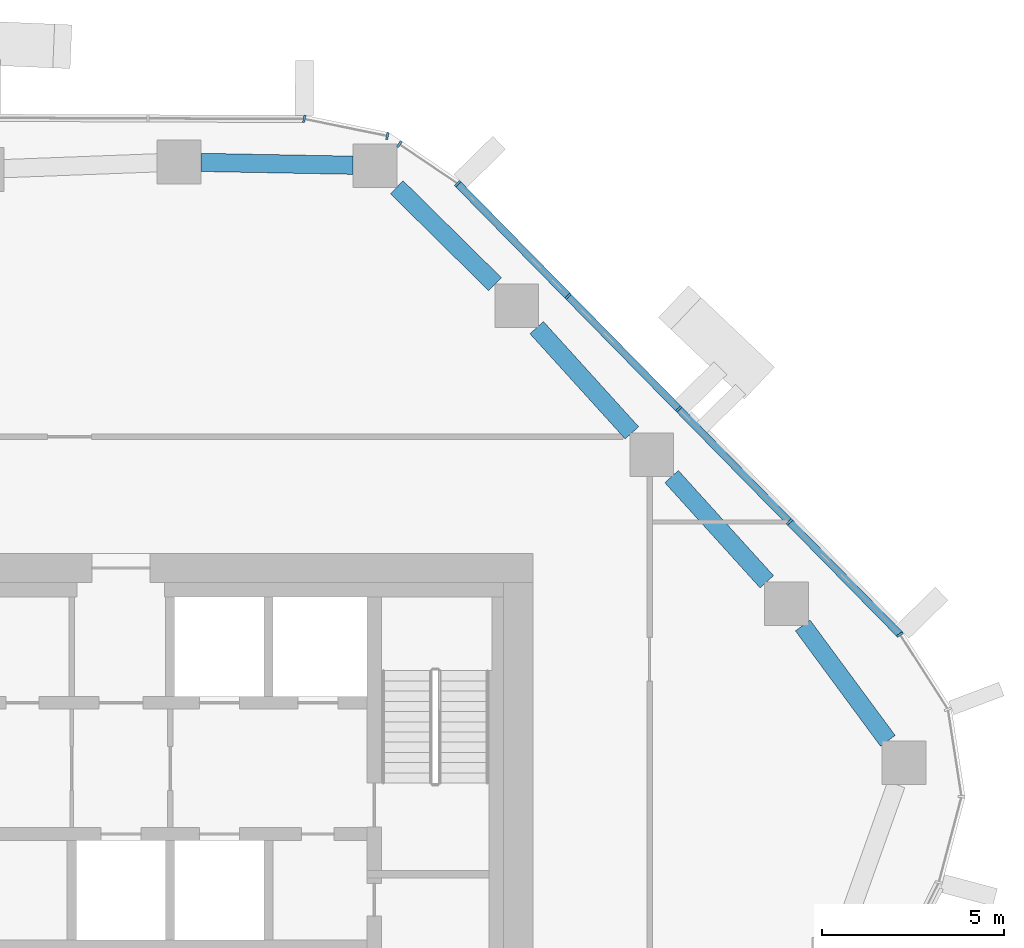
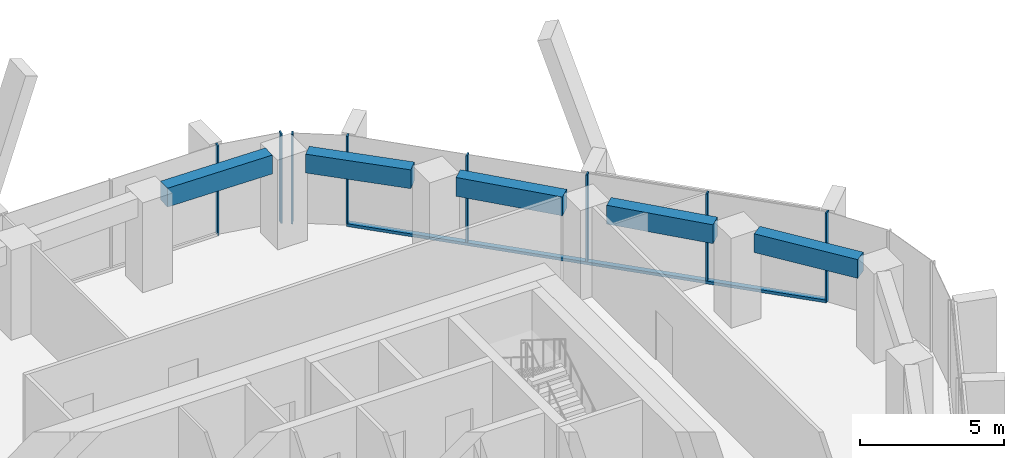
# One storey, part 6 of 19: 9 members, 5 beams, 4 elements without a shape of their own.
"""IFC4 building model written with IfcOpenShell, lengths in metres."""

from ifc_helpers import new_model, si_unit, direction, frame, origin, origin_2d, place, context, subcontext, project, spatial, rectangle, extrude, material, layer, layer_set, material_profile, profile_set, type_object, element, aggregate, save


model = new_model("IFC4")

# Units and contexts
model_context = context("Model", 3, precision=1e-05, world=origin(), true_north=direction((0.0, 1.0)))
body_context = subcontext(model_context, "Body", "Model", "MODEL_VIEW")
ifc_project = project(units=[si_unit("LENGTHUNIT", "METRE"), si_unit("AREAUNIT", "SQUARE_METRE"), si_unit("VOLUMEUNIT", "CUBIC_METRE"), si_unit("PLANEANGLEUNIT", "RADIAN"), si_unit("MASSUNIT", "GRAM", prefix="KILO")], contexts=[model_context])

# Site, building, storey
site_placement = place(None, origin())
site = spatial("IfcSite", under=ifc_project, at=site_placement, CompositionType="ELEMENT")
building_placement = place(site_placement, origin())
building = spatial("IfcBuilding", under=site, at=building_placement, Name="Dongbaek Canopy Tower", CompositionType="ELEMENT")
storey_placement = place(building_placement, frame((0.0, 0.0, 207.199951171875)))
storey = spatial("IfcBuildingStorey", under=building, at=storey_placement, Name="L43", CompositionType="ELEMENT", Elevation=207.199951171875)

# Curtain wall, member
ifc_material_1 = material(Name="Aluminium 6063-T6 pale anodised", Category="aluminium")
ifc_layer = layer(ifc_material_1, 0.199951171875)
ifc_layer_set = layer_set([ifc_layer], Name="CW-1 unitised tower curtain wall")
curtain_wall_type = type_object("IfcCurtainWallType", Name="CW-1 unitised tower curtain wall", PredefinedType="NOTDEFINED", material=ifc_layer_set)
curtain_wall_1_placement = place(storey_placement, origin())
curtain_wall_1 = element("IfcCurtainWall", 1, at=curtain_wall_1_placement, inside=storey, type_object=curtain_wall_type, Name="CW-1 curtain wall K0.1", PredefinedType="NOTDEFINED")
ifc_material_2 = material(Name="Aluminium 6063-T6 pale anodised", Category="aluminium")
ifc_material_profile_1 = material_profile(ifc_material_2, rectangle(XDim=0.199951171875, YDim=0.06005859375, at=origin_2d()), Name="CW-1 mullion 60 x 200")
ifc_profile_set_1 = profile_set([ifc_material_profile_1], Name="Aluminium 6063-T6 pale anodised")
member_type_1 = type_object("IfcMemberType", Name="CW-1 mullion 60 x 200", PredefinedType="MULLION", material=ifc_profile_set_1)
member_1_placement = place(storey_placement, frame((24.070068359375, 8.773681640625, 0.0), z_axis=(0.0, 0.0, 1.0), x_axis=(0.842497912004, 0.538699608566, 0.0)))
member_1 = element("IfcMember", 2, at=member_1_placement, type_object=member_type_1, Name="CW-1 mullion K0.1.4", PredefinedType="MULLION", context=body_context, shape_type="SweptSolid", body=[
    extrude(rectangle(XDim=0.199951171875, YDim=0.06005859375, at=origin_2d()), origin(), (0.0, 0.0, 1.0), 3.820068359375),
])
aggregate(curtain_wall_1, [member_1])

# Curtain wall, members
curtain_wall_2_placement = place(storey_placement, origin())
curtain_wall_2 = element("IfcCurtainWall", 3, at=curtain_wall_2_placement, inside=storey, type_object=curtain_wall_type, Name="CW-1 curtain wall F0.1", PredefinedType="NOTDEFINED")
member_2_placement = place(storey_placement, frame((21.039794921875, 11.862060546875, 0.1201171875), z_axis=(0.0, 0.0, 1.0), x_axis=(0.713782398301, 0.700367537709, 0.0)))
member_2 = element("IfcMember", 4, at=member_2_placement, type_object=member_type_1, Name="CW-1 mullion F0.1.2", PredefinedType="MULLION", context=body_context, shape_type="SweptSolid", body=[
    extrude(rectangle(XDim=0.199951171875, YDim=0.06005859375, at=origin_2d()), origin(), (0.0, 0.0, 1.0), 3.699951171875),
])
member_3_placement = place(storey_placement, frame((18.002197265625, 14.957763671875, 0.1201171875), z_axis=(0.0, 0.0, 1.0), x_axis=(0.713782398301, 0.700367537709, 0.0)))
member_3 = element("IfcMember", 5, at=member_3_placement, type_object=member_type_1, Name="CW-1 mullion F0.1.3", PredefinedType="MULLION", context=body_context, shape_type="SweptSolid", body=[
    extrude(rectangle(XDim=0.199951171875, YDim=0.06005859375, at=origin_2d()), origin(), (0.0, 0.0, 1.0), 3.699951171875),
])
member_4_placement = place(storey_placement, frame((14.96484375, 18.053466796875, 0.1201171875), z_axis=(0.0, 0.0, 1.0), x_axis=(0.713782398301, 0.700367537709, 0.0)))
member_4 = element("IfcMember", 6, at=member_4_placement, type_object=member_type_1, Name="CW-1 mullion F0.1.4", PredefinedType="MULLION", context=body_context, shape_type="SweptSolid", body=[
    extrude(rectangle(XDim=0.199951171875, YDim=0.06005859375, at=origin_2d()), origin(), (0.0, 0.0, 1.0), 3.699951171875),
])
member_5_placement = place(storey_placement, frame((11.93408203125, 21.14208984375, 0.1201171875), z_axis=(0.0, 0.0, 1.0), x_axis=(0.713782398301, 0.700367537709, 0.0)))
member_5 = element("IfcMember", 7, at=member_5_placement, type_object=member_type_1, Name="CW-1 mullion F0.1.5", PredefinedType="MULLION", context=body_context, shape_type="SweptSolid", body=[
    extrude(rectangle(XDim=0.199951171875, YDim=0.06005859375, at=origin_2d()), origin(), (0.0, 0.0, 1.0), 3.699951171875),
])

# Curtain wall, member
curtain_wall_3_placement = place(storey_placement, origin())
curtain_wall_3 = element("IfcCurtainWall", 8, at=curtain_wall_3_placement, inside=storey, type_object=curtain_wall_type, Name="CW-1 curtain wall K1.1a", PredefinedType="NOTDEFINED")
member_6_placement = place(storey_placement, frame((10.339111328125, 22.226318359375, 0.0), z_axis=(0.0, 0.0, 1.0), x_axis=(0.562231657706, 0.826979783957, 0.0)))
member_6 = element("IfcMember", 9, at=member_6_placement, type_object=member_type_1, Name="CW-1 mullion K1.1a.2", PredefinedType="MULLION", context=body_context, shape_type="SweptSolid", body=[
    extrude(rectangle(XDim=0.199951171875, YDim=0.06005859375, at=origin_2d()), origin(), (0.0, 0.0, 1.0), 3.820068359375),
])
aggregate(curtain_wall_3, [member_6])

# Curtain wall, members
curtain_wall_4_placement = place(storey_placement, origin())
curtain_wall_4 = element("IfcCurtainWall", 10, at=curtain_wall_4_placement, inside=storey, type_object=curtain_wall_type, Name="CW-1 curtain wall K1.1b", PredefinedType="NOTDEFINED")
member_7_placement = place(storey_placement, frame((10.0087890625, 22.450927734375, 0.0), z_axis=(0.0, 0.0, 1.0), x_axis=(0.200117259075, 0.979771954396, 0.0)))
member_7 = element("IfcMember", 11, at=member_7_placement, type_object=member_type_1, Name="CW-1 mullion K1.1b.1", PredefinedType="MULLION", context=body_context, shape_type="SweptSolid", body=[
    extrude(rectangle(XDim=0.199951171875, YDim=0.06005859375, at=origin_2d()), origin(), (0.0, 0.0, 1.0), 3.820068359375),
])
member_8_placement = place(storey_placement, frame((7.727783203125, 22.9169921875, 0.0), z_axis=(0.0, 0.0, 1.0), x_axis=(0.200117259075, 0.979771954396, 0.0)))
member_8 = element("IfcMember", 12, at=member_8_placement, type_object=member_type_1, Name="CW-1 mullion K1.1b.2", PredefinedType="MULLION", context=body_context, shape_type="SweptSolid", body=[
    extrude(rectangle(XDim=0.199951171875, YDim=0.06005859375, at=origin_2d()), origin(), (0.0, 0.0, 1.0), 3.820068359375),
])
aggregate(curtain_wall_4, [member_7, member_8])

# Member
ifc_material_3 = material(Name="Aluminium 6063-T6 pale anodised", Category="aluminium")
ifc_material_profile_2 = material_profile(ifc_material_3, rectangle(XDim=0.199951171875, YDim=0.1201171875, at=origin_2d()), Name="CW-1 transom 120 x 200")
ifc_profile_set_2 = profile_set([ifc_material_profile_2], Name="Aluminium 6063-T6 pale anodised")
member_type_2 = type_object("IfcMemberType", Name="CW-1 transom 120 x 200", PredefinedType="USERDEFINED", material=ifc_profile_set_2)
member_9_placement = place(storey_placement, frame((24.070068359375, 8.773681640625, 0.06005859375), z_axis=(-0.700368436874, 0.713781516033, 0.0), x_axis=(-0.713781516033, -0.700368436874, 0.0)))
member_9 = element("IfcMember", 13, at=member_9_placement, type_object=member_type_2, Name="CW-1 transom F0.1.1", ObjectType="TRANSOM", PredefinedType="USERDEFINED", context=body_context, shape_type="SweptSolid", body=[
    extrude(rectangle(XDim=0.199951171875, YDim=0.1201171875, at=origin_2d()), origin(), (0.0, 0.0, 1.0), 17.328125),
])

aggregate(curtain_wall_2, [member_2, member_3, member_4, member_5, member_9])

# Beams
ifc_material_4 = material(Name="Concrete C70", Category="concrete")
ifc_material_profile_3 = material_profile(ifc_material_4, rectangle(XDim=0.5, YDim=0.800048828125, at=origin_2d()), Name="RC EDGE BEAM 500x800 C70")
ifc_profile_set_3 = profile_set([ifc_material_profile_3], Name="Concrete C70")
beam_type = type_object("IfcBeamType", Name="RC EDGE BEAM 500x800 C70", PredefinedType="BEAM", material=ifc_profile_set_3)
beam_1_placement = place(storey_placement, frame((4.89501953125, 21.724609375, 3.420166015625), z_axis=(0.999823523871, -0.018786194753, 0.0), x_axis=(0.018786194753, 0.999823523871, 0.0)))
element("IfcBeam", 14, at=beam_1_placement, inside=storey, type_object=beam_type, Name="EDGEBEAM:L43:16", PredefinedType="BEAM", context=body_context, shape_type="SweptSolid", body=[
    extrude(rectangle(XDim=0.5, YDim=0.800048828125, at=origin_2d()), origin(), (0.0, 0.0, 1.0), 4.171630859375),
])
beam_2_placement = place(storey_placement, frame((10.26611328125, 21.04296875, 3.420166015625), z_axis=(0.711703560094, -0.702479923236, 0.0), x_axis=(0.702479923236, 0.711703560094, 0.0)))
element("IfcBeam", 15, at=beam_2_placement, inside=storey, type_object=beam_type, Name="EDGEBEAM:L43:17", PredefinedType="BEAM", context=body_context, shape_type="SweptSolid", body=[
    extrude(rectangle(XDim=0.5, YDim=0.800048828125, at=origin_2d()), origin(), (0.0, 0.0, 1.0), 3.78515625),
])
beam_3_placement = place(storey_placement, frame((14.103515625, 17.19189453125, 3.420166015625), z_axis=(0.67132037677, -0.741167289978, 0.0), x_axis=(0.741167289978, 0.67132037677, 0.0)))
element("IfcBeam", 16, at=beam_3_placement, inside=storey, type_object=beam_type, Name="EDGEBEAM:L43:18", PredefinedType="BEAM", context=body_context, shape_type="SweptSolid", body=[
    extrude(rectangle(XDim=0.5, YDim=0.800048828125, at=origin_2d()), origin(), (0.0, 0.0, 1.0), 3.893798828125),
])
beam_4_placement = place(storey_placement, frame((17.80419921875, 13.10595703125, 3.420166015625), z_axis=(0.671238468475, -0.741241471074, 0.0), x_axis=(0.741241471074, 0.671238468475, 0.0)))
element("IfcBeam", 17, at=beam_4_placement, inside=storey, type_object=beam_type, Name="EDGEBEAM:L43:19", PredefinedType="BEAM", context=body_context, shape_type="SweptSolid", body=[
    extrude(rectangle(XDim=0.5, YDim=0.800048828125, at=origin_2d()), origin(), (0.0, 0.0, 1.0), 3.89208984375),
])
beam_5_placement = place(storey_placement, frame((21.402587890625, 9.02099609375, 3.420166015625), z_axis=(0.593743199573, -0.804654592332, 0.0), x_axis=(0.804654592332, 0.593743199573, 0.0)))
element("IfcBeam", 18, at=beam_5_placement, inside=storey, type_object=beam_type, Name="EDGEBEAM:L43:20", PredefinedType="BEAM", context=body_context, shape_type="SweptSolid", body=[
    extrude(rectangle(XDim=0.5, YDim=0.800048828125, at=origin_2d()), origin(), (0.0, 0.0, 1.0), 3.93212890625),
])

save(model, "model.ifc")
